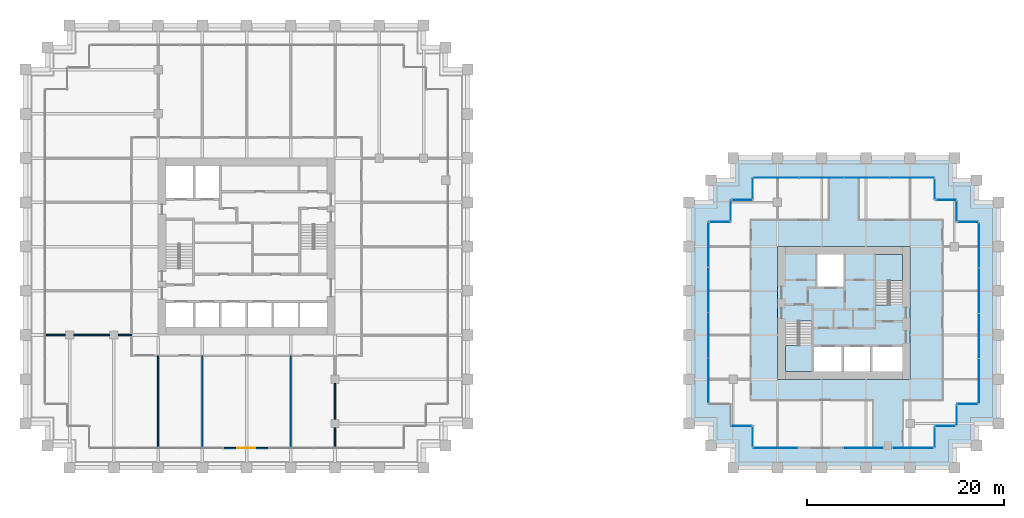
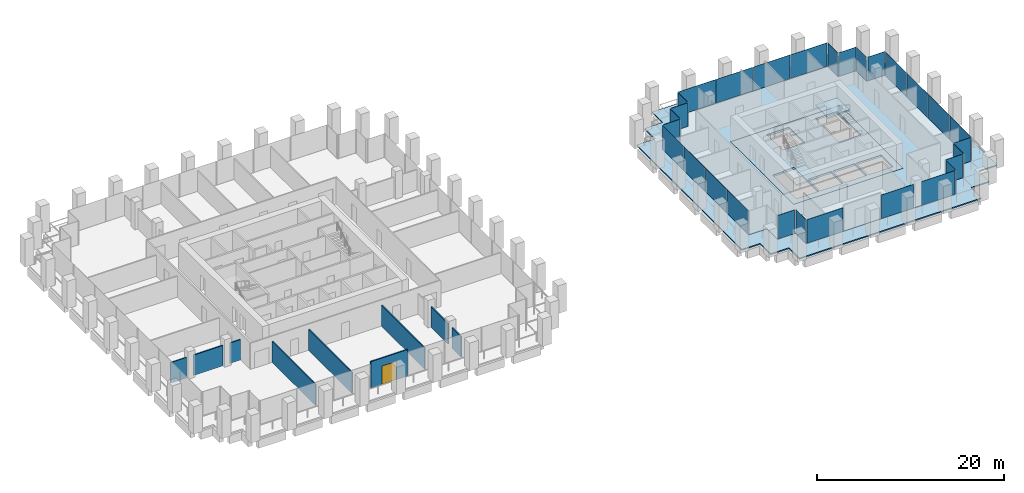
# One storey, part 49 of 56: 29 plates, 9 walls, 5 slabs, 1 door, 1 opening, 22 elements without a shape of their own.
"""IFC4 building model written with IfcOpenShell, lengths in metres."""

import ifcopenshell
import ifcopenshell.guid

model = None  # the IFC model being written
_history = None  # IfcOwnerHistory: only IFC2X3 demands one
_inside = {}  # id of a spatial element -> (the spatial element, [elements in it])
_under = {}  # id of a project, library or spatial element -> (it, [spatial elements below it])
_declared = {}  # id of a project -> (the project, [libraries it declares])
_typed = {}  # id of a type object -> (the type object, [elements of that type])
_made_of = {}  # id of a material, layer set ... -> (it, [elements and type objects made of it])


def new_model(schema):
    """Start an empty IFC model of exactly this schema.

    Asked for "IFC4X3", IfcOpenShell would pick the latest addendum, in which some entities
    have other attributes; the version numbers below select the first issue.
    IFC2X3 requires an IfcOwnerHistory on every rooted entity: one is made here for all.
    """
    global model, _history
    if schema == "IFC4X3":
        model = ifcopenshell.file(schema_version=(4, 3, 0, 0))
    else:
        model = ifcopenshell.file(schema=schema)
    _inside.clear()
    _under.clear()
    _declared.clear()
    _typed.clear()
    _made_of.clear()
    _history = None
    if model.schema == "IFC2X3":
        org = make("IfcOrganization", Name="unknown")
        user = make(
            "IfcPersonAndOrganization",
            ThePerson=make("IfcPerson", FamilyName="unknown"),
            TheOrganization=org,
        )
        app = make(
            "IfcApplication",
            ApplicationDeveloper=org,
            Version="unknown",
            ApplicationFullName="unknown",
            ApplicationIdentifier="unknown",
        )
        _history = make(
            "IfcOwnerHistory",
            OwningUser=user,
            OwningApplication=app,
            ChangeAction="ADDED",
            CreationDate=0,
        )
    return model


def make(cls, **values):
    """One entity of the class cls with the attributes given. An attribute that is None is left unset."""
    return model.create_entity(
        cls, **{name: value for name, value in values.items() if value is not None}
    )


def rooted(cls, **values):
    """An entity with a GlobalId (a new one), such as an element, a storey or a relation."""
    return make(cls, GlobalId=ifcopenshell.guid.new(), OwnerHistory=_history, **values)


def si_unit(unit_type, name, prefix=None):
    """IfcSIUnit, for example si_unit("LENGTHUNIT", "METRE", prefix="MILLI")."""
    return make("IfcSIUnit", UnitType=unit_type, Prefix=prefix, Name=name)


def assignment(units):
    """IfcUnitAssignment: the units of a project."""
    return None if units is None else make("IfcUnitAssignment", Units=units)


def point(xyz):
    """IfcCartesianPoint."""
    return None if xyz is None else make("IfcCartesianPoint", Coordinates=xyz)


def direction(xyz):
    """IfcDirection."""
    return None if xyz is None else make("IfcDirection", DirectionRatios=xyz)


def frame(location, z_axis=None, x_axis=None):
    """IfcAxis2Placement3D, a coordinate frame: its origin and axes. An axis left out is left unset."""
    return make(
        "IfcAxis2Placement3D",
        Location=point(location),
        Axis=direction(z_axis),
        RefDirection=direction(x_axis),
    )


def frame_2d(location, x_axis=None):
    """IfcAxis2Placement2D, a coordinate frame in the plane: its origin and x axis."""
    return make(
        "IfcAxis2Placement2D", Location=point(location), RefDirection=direction(x_axis)
    )


def origin():
    """The frame at (0, 0, 0) with its axes left unset."""
    return frame((0.0, 0.0, 0.0))


def origin_2d():
    """The frame at (0, 0) in the plane with its x axis left unset."""
    return frame_2d((0.0, 0.0))


def place(relative_to, where):
    """IfcLocalPlacement: puts the frame where relative to a parent placement (None: the world)."""
    return make(
        "IfcLocalPlacement", PlacementRelTo=relative_to, RelativePlacement=where
    )


def context(
    kind, dimensions, precision=None, world=None, true_north=None, identifier=None
):
    """IfcGeometricRepresentationContext, for example the 3D "Model" context."""
    return make(
        "IfcGeometricRepresentationContext",
        ContextIdentifier=identifier,
        ContextType=kind,
        CoordinateSpaceDimension=dimensions,
        Precision=precision,
        WorldCoordinateSystem=world,
        TrueNorth=true_north,
    )


def subcontext(parent, identifier, kind, view, scale=None):
    """IfcGeometricRepresentationSubContext, for example "Body" below "Model"."""
    return make(
        "IfcGeometricRepresentationSubContext",
        ContextIdentifier=identifier,
        ContextType=kind,
        ParentContext=parent,
        TargetScale=scale,
        TargetView=view,
    )


def project(units=None, contexts=None):
    """IfcProject with its units and contexts."""
    return rooted(
        "IfcProject",
        Name="project",
        RepresentationContexts=contexts,
        UnitsInContext=assignment(units),
    )


def spatial(cls, under=None, at=None, **own):
    """A site, building, storey or space (cls), placed at a placement, below another one or the project."""
    s = rooted(cls, ObjectPlacement=at, **own)
    if under is not None:
        _under.setdefault(under.id(), (under, []))[1].append(s)
    return s


def polyline(points):
    """IfcPolyline through the points."""
    return make("IfcPolyline", Points=[point(p) for p in points])


def profile(cls, at=None, kind="AREA", **sizes):
    """A parametric profile (cls). Its sizes go by their IFC names, for example OverallWidth=200.0."""
    return make(cls, ProfileType=kind, Position=at, **sizes)


def rectangle(**sizes):
    """IfcRectangleProfileDef."""
    return profile("IfcRectangleProfileDef", **sizes)


def outline(outer, holes=None, kind="AREA"):
    """IfcArbitraryClosedProfileDef: a profile drawn as a closed curve; with holes, ...WithVoids."""
    if holes is None:
        return make("IfcArbitraryClosedProfileDef", ProfileType=kind, OuterCurve=outer)
    return make(
        "IfcArbitraryProfileDefWithVoids",
        ProfileType=kind,
        OuterCurve=outer,
        InnerCurves=holes,
    )


def extrude(swept, where, along, depth):
    """IfcExtrudedAreaSolid: the profile swept, set in the frame where, extruded along a direction by depth."""
    return make(
        "IfcExtrudedAreaSolid",
        SweptArea=swept,
        Position=where,
        ExtrudedDirection=direction(along),
        Depth=depth,
    )


def shape(context_of_items, identifier, shape_type, items):
    """IfcShapeRepresentation: the items that make up one representation, for example the "Body"."""
    return make(
        "IfcShapeRepresentation",
        ContextOfItems=context_of_items,
        RepresentationIdentifier=identifier,
        RepresentationType=shape_type,
        Items=items,
    )


def material(Name=None, Category=None):
    """IfcMaterial."""
    return make("IfcMaterial", Name=Name, Category=Category)


def layer(
    of_material, thickness, ventilated=None, Name=None, Category=None, Priority=None
):
    """IfcMaterialLayer: one layer of a wall or slab, of a material (None: an air gap)."""
    return make(
        "IfcMaterialLayer",
        Material=of_material,
        LayerThickness=thickness,
        IsVentilated=ventilated,
        Name=Name,
        Category=Category,
        Priority=Priority,
    )


def layer_set(layers, Name=None):
    """IfcMaterialLayerSet."""
    return make("IfcMaterialLayerSet", MaterialLayers=layers, LayerSetName=Name)


def made_of(thing, what):
    """Note that an element or type object is made of a material, layer set ...; save() writes the relation."""
    if what is not None:
        _made_of.setdefault(what.id(), (what, []))[1].append(thing)
    return thing


def type_object(cls, material=None, **own):
    """A type object (cls), such as IfcWallType, which elements share."""
    return made_of(rooted(cls, **own), material)


def element(
    cls,
    number,
    at=None,
    inside=None,
    cuts=None,
    type_object=None,
    material=None,
    context=None,
    identifier="Body",
    shape_type=None,
    held_by="IfcProductDefinitionShape",
    body=None,
    shapes=None,
    **own,
):
    """One element of the class cls, such as IfcWall. Its Tag is "e" and its number.

    at: its placement. inside: the storey or other place that contains it. cuts: it is an
    opening in that element (IfcRelVoidsElement). A single representation is given by context,
    identifier, shape_type and body (its items); several are given by shapes. held_by: the class
    of the entity that holds the representations. save() writes the other relations.
    """
    e = rooted(cls, Tag="e%d" % number, ObjectPlacement=at, **own)
    if body is not None:
        shapes = [shape(context, identifier, shape_type, body)]
    if shapes is not None:
        e.Representation = make(held_by, Representations=shapes)
    if inside is not None:
        _inside.setdefault(inside.id(), (inside, []))[1].append(e)
    if cuts is not None:
        rooted(
            "IfcRelVoidsElement", RelatingBuildingElement=cuts, RelatedOpeningElement=e
        )
    if type_object is not None:
        _typed.setdefault(type_object.id(), (type_object, []))[1].append(e)
    return made_of(e, material)


def fill(opening, filler):
    """IfcRelFillsElement: the door or window that sits in an opening."""
    return rooted(
        "IfcRelFillsElement",
        RelatingOpeningElement=opening,
        RelatedBuildingElement=filler,
    )


def aggregate(whole, parts):
    """IfcRelAggregates: a whole, such as a stair, and the parts it consists of."""
    return rooted("IfcRelAggregates", RelatingObject=whole, RelatedObjects=parts)


def save(model, path):
    """Write the relations noted so far, then the file.

    IfcRelAggregates (storeys below a building ...), IfcRelContainedInSpatialStructure (elements
    in a storey), IfcRelDefinesByType, IfcRelAssociatesMaterial and IfcRelDeclares: one each for
    every whole, place, type object, material and project.
    """
    for whole, parts in _under.values():
        aggregate(whole, parts)
    for where, things in _inside.values():
        rooted(
            "IfcRelContainedInSpatialStructure",
            RelatedElements=things,
            RelatingStructure=where,
        )
    for kind, things in _typed.values():
        rooted("IfcRelDefinesByType", RelatedObjects=things, RelatingType=kind)
    for what, things in _made_of.values():
        rooted("IfcRelAssociatesMaterial", RelatedObjects=things, RelatingMaterial=what)
    for by, libraries in _declared.values():
        rooted("IfcRelDeclares", RelatingContext=by, RelatedDefinitions=libraries)
    model.write(path)


model = new_model("IFC4")

# Units and contexts
model_context = context("Model", 3, precision=1e-05, world=origin(), true_north=direction((0.0, 1.0)))
body_context = subcontext(model_context, "Body", "Model", "MODEL_VIEW")
ifc_project = project(units=[si_unit("LENGTHUNIT", "METRE"), si_unit("AREAUNIT", "SQUARE_METRE"), si_unit("VOLUMEUNIT", "CUBIC_METRE"), si_unit("PLANEANGLEUNIT", "RADIAN"), si_unit("MASSUNIT", "GRAM", prefix="KILO")], contexts=[model_context])

# Site, building, storey
site_placement = place(None, origin())
site = spatial("IfcSite", under=ifc_project, at=site_placement, CompositionType="ELEMENT")
building_placement = place(site_placement, origin())
building = spatial("IfcBuilding", under=site, at=building_placement, Name="Altepetl Exchange Towers", CompositionType="ELEMENT")
storey_placement = place(building_placement, frame((0.0, 0.0, 54.60009765625)))
storey = spatial("IfcBuildingStorey", under=building, at=storey_placement, Name="L12", CompositionType="ELEMENT", Elevation=54.60009765625)

# Slabs
ifc_material_1 = material(Name="Concrete C40/50", Category="concrete")
ifc_layer_1 = layer(ifc_material_1, 0.14990234375)
ifc_layer_set_1 = layer_set([ifc_layer_1], Name="Concrete C40/50")
slab_type_1 = type_object("IfcSlabType", Name="Composite floor slab 150", PredefinedType="FLOOR", material=ifc_layer_set_1)
slab_1_placement = place(storey_placement, frame((0.0, 0.0, -0.150146484375)))
element("IfcSlab", 1, at=slab_1_placement, inside=storey, type_object=slab_type_1, Name="slab:B:L12:strip0", PredefinedType="FLOOR", context=body_context, shape_type="SweptSolid", body=[
    extrude(outline(polyline([(98.75, 54.25), (98.75, 52.0), (96.5, 52.0), (96.5, 33.5), (98.75, 33.5), (98.75, 31.25), (101.0, 31.25), (101.0, 29.0), (119.5, 29.0), (119.5, 31.25), (121.75, 31.25), (121.75, 33.5), (124.0, 33.5), (124.0, 52.0), (121.75, 52.0), (121.75, 54.25), (119.5, 54.25), (119.5, 56.5), (101.0, 56.5), (101.0, 54.25), (98.75, 54.25)]), holes=[polyline([(117.0, 49.5), (117.0, 36.0), (103.5, 36.0), (103.5, 49.5), (117.0, 49.5)])]), origin(), (0.0, 0.0, 1.0), 0.150146484375),
])
ifc_layer_2 = layer(ifc_material_1, 0.25)
ifc_layer_set_2 = layer_set([ifc_layer_2], Name="Concrete C40/50")
slab_type_2 = type_object("IfcSlabType", Name="Core floor slab 250", PredefinedType="FLOOR", material=ifc_layer_set_2)
slab_2_placement = place(storey_placement, frame((0.0, 0.0, -0.25)))
element("IfcSlab", 2, at=slab_2_placement, inside=storey, type_object=slab_type_2, Name="slab:B:L12:core0", PredefinedType="FLOOR", context=body_context, shape_type="SweptSolid", body=[
    extrude(outline(polyline([(103.5, 36.0), (117.0, 36.0), (117.0, 49.5), (103.5, 49.5), (103.5, 36.0)]), holes=[polyline([(107.199951171875, 36.800048828125), (107.199951171875, 39.300048828125), (110.032958984375, 39.300048828125), (110.032958984375, 36.800048828125), (107.199951171875, 36.800048828125)]), polyline([(110.23291015625, 39.300048828125), (112.967041015625, 39.300048828125), (112.967041015625, 36.800048828125), (110.23291015625, 36.800048828125), (110.23291015625, 39.300048828125)]), polyline([(113.1669921875, 39.300048828125), (116.199951171875, 39.300048828125), (116.199951171875, 36.800048828125), (113.1669921875, 36.800048828125), (113.1669921875, 39.300048828125)]), polyline([(107.0, 36.800048828125), (104.300048828125, 36.800048828125), (104.300048828125, 41.85009765625), (105.60009765625, 41.85009765625), (105.60009765625, 41.948974609375), (107.0, 41.948974609375), (107.0, 36.800048828125)]), polyline([(116.199951171875, 48.699951171875), (116.199951171875, 43.64990234375), (114.89990234375, 43.64990234375), (114.89990234375, 43.551025390625), (113.5, 43.551025390625), (113.5, 48.699951171875), (116.199951171875, 48.699951171875)]), polyline([(107.532958984375, 48.699951171875), (110.26708984375, 48.699951171875), (110.26708984375, 45.39990234375), (107.532958984375, 45.39990234375), (107.532958984375, 48.699951171875)])]), origin(), (0.0, 0.0, 1.0), 0.25),
])

# Curtain wall, plate
ifc_material_2 = material(Name="Aluminium 6063-T6 glazing", Category="aluminium")
curtain_wall_type = type_object("IfcCurtainWallType", Name="Loggia glazing system", PredefinedType="NOTDEFINED", material=ifc_material_2)
curtain_wall_1_placement = place(storey_placement, origin())
curtain_wall_1 = element("IfcCurtainWall", 3, at=curtain_wall_1_placement, inside=storey, type_object=curtain_wall_type, Name="CW1 run", PredefinedType="NOTDEFINED")
ifc_material_3 = material(Name="Glass 6-16-6 low emissivity", Category="glass")
ifc_layer_3 = layer(ifc_material_3, 0.028076171875)
ifc_layer_set_3 = layer_set([ifc_layer_3], Name="Glass 6-16-6 low emissivity")
plate_type = type_object("IfcPlateType", Name="Glass panel 28 double glazed", PredefinedType="CURTAIN_PANEL", material=ifc_layer_set_3)
plate_1_placement = place(storey_placement, frame((97.66259765625, 52.0, -0.000244140625), z_axis=(0.0, 0.0, 1.0), x_axis=(-1.0, 0.0, 0.0)))
plate_1 = element("IfcPlate", 4, at=plate_1_placement, type_object=plate_type, Name="GP1 panel", PredefinedType="CURTAIN_PANEL", context=body_context, shape_type="SweptSolid", body=[
    extrude(rectangle(XDim=2.054931640625, YDim=0.028076171875, at=origin_2d()), origin(), (0.0, 0.0, 1.0), 3.10009765625),
])
aggregate(curtain_wall_1, [plate_1])

# Curtain wall, plates
curtain_wall_2_placement = place(storey_placement, origin())
curtain_wall_2 = element("IfcCurtainWall", 5, at=curtain_wall_2_placement, inside=storey, type_object=curtain_wall_type, Name="CW1 run", PredefinedType="NOTDEFINED")
plate_2_placement = place(storey_placement, frame((96.5, 49.681884765625, -0.000244140625), z_axis=(0.0, 0.0, 1.0), x_axis=(0.0, -1.0, 0.0)))
plate_2 = element("IfcPlate", 6, at=plate_2_placement, type_object=plate_type, Name="GP1 panel", PredefinedType="CURTAIN_PANEL", context=body_context, shape_type="SweptSolid", body=[
    extrude(rectangle(XDim=4.516357421875, YDim=0.028076171875, at=origin_2d()), origin(), (0.0, 0.0, 1.0), 3.10009765625),
])
plate_3_placement = place(storey_placement, frame((96.5, 45.090576171875, -0.000244140625), z_axis=(0.0, 0.0, 1.0), x_axis=(0.0, -1.0, 0.0)))
plate_3 = element("IfcPlate", 7, at=plate_3_placement, type_object=plate_type, Name="GP1 panel", PredefinedType="CURTAIN_PANEL", context=body_context, shape_type="SweptSolid", body=[
    extrude(rectangle(XDim=4.546142578125, YDim=0.028076171875, at=origin_2d()), origin(), (0.0, 0.0, 1.0), 3.10009765625),
])
plate_4_placement = place(storey_placement, frame((96.5, 40.484375, -0.000244140625), z_axis=(0.0, 0.0, 1.0), x_axis=(0.0, -1.0, 0.0)))
plate_4 = element("IfcPlate", 8, at=plate_4_placement, type_object=plate_type, Name="GP1 panel", PredefinedType="CURTAIN_PANEL", context=body_context, shape_type="SweptSolid", body=[
    extrude(rectangle(XDim=4.546142578125, YDim=0.028076171875, at=origin_2d()), origin(), (0.0, 0.0, 1.0), 3.10009765625),
])
plate_5_placement = place(storey_placement, frame((96.5, 35.89306640625, -0.000244140625), z_axis=(0.0, 0.0, 1.0), x_axis=(0.0, -1.0, 0.0)))
plate_5 = element("IfcPlate", 9, at=plate_5_placement, type_object=plate_type, Name="GP1 panel", PredefinedType="CURTAIN_PANEL", context=body_context, shape_type="SweptSolid", body=[
    extrude(rectangle(XDim=4.516357421875, YDim=0.028076171875, at=origin_2d()), origin(), (0.0, 0.0, 1.0), 3.10009765625),
])
aggregate(curtain_wall_2, [plate_2, plate_3, plate_4, plate_5])

# Curtain wall, plate
curtain_wall_3_placement = place(storey_placement, origin())
curtain_wall_3 = element("IfcCurtainWall", 10, at=curtain_wall_3_placement, inside=storey, type_object=curtain_wall_type, Name="CW1 run", PredefinedType="NOTDEFINED")
plate_6_placement = place(storey_placement, frame((99.83740234375, 31.25, -0.000244140625)))
plate_6 = element("IfcPlate", 11, at=plate_6_placement, type_object=plate_type, Name="GP1 panel", PredefinedType="CURTAIN_PANEL", context=body_context, shape_type="SweptSolid", body=[
    extrude(rectangle(XDim=2.054931640625, YDim=0.028076171875, at=origin_2d()), origin(), (0.0, 0.0, 1.0), 3.10009765625),
])
aggregate(curtain_wall_3, [plate_6])

curtain_wall_4_placement = place(storey_placement, origin())
curtain_wall_4 = element("IfcCurtainWall", 12, at=curtain_wall_4_placement, inside=storey, type_object=curtain_wall_type, Name="CW1 run", PredefinedType="NOTDEFINED")
plate_7_placement = place(storey_placement, frame((101.0, 30.16259765625, -0.000244140625), z_axis=(0.0, 0.0, 1.0), x_axis=(0.0, -1.0, 0.0)))
plate_7 = element("IfcPlate", 13, at=plate_7_placement, type_object=plate_type, Name="GP1 panel", PredefinedType="CURTAIN_PANEL", context=body_context, shape_type="SweptSolid", body=[
    extrude(rectangle(XDim=2.054931640625, YDim=0.028076171875, at=origin_2d()), origin(), (0.0, 0.0, 1.0), 3.10009765625),
])
aggregate(curtain_wall_4, [plate_7])

curtain_wall_5_placement = place(storey_placement, origin())
curtain_wall_5 = element("IfcCurtainWall", 14, at=curtain_wall_5_placement, inside=storey, type_object=curtain_wall_type, Name="CW1 run", PredefinedType="NOTDEFINED")
plate_8_placement = place(storey_placement, frame((103.30322265625, 29.0, -0.000244140625)))
plate_8 = element("IfcPlate", 15, at=plate_8_placement, type_object=plate_type, Name="GP1 panel", PredefinedType="CURTAIN_PANEL", context=body_context, shape_type="SweptSolid", body=[
    extrude(rectangle(XDim=4.486328125, YDim=0.028076171875, at=origin_2d()), origin(), (0.0, 0.0, 1.0), 3.10009765625),
])
aggregate(curtain_wall_5, [plate_8])

curtain_wall_6_placement = place(storey_placement, origin())
curtain_wall_6 = element("IfcCurtainWall", 16, at=curtain_wall_6_placement, inside=storey, type_object=curtain_wall_type, Name="CW1 run", PredefinedType="NOTDEFINED")
plate_9_placement = place(storey_placement, frame((112.2587890625, 29.0, -0.000244140625)))
plate_9 = element("IfcPlate", 17, at=plate_9_placement, type_object=plate_type, Name="GP1 panel", PredefinedType="CURTAIN_PANEL", context=body_context, shape_type="SweptSolid", body=[
    extrude(rectangle(XDim=3.972412109375, YDim=0.028076171875, at=origin_2d()), origin(), (0.0, 0.0, 1.0), 3.10009765625),
])
aggregate(curtain_wall_6, [plate_9])

curtain_wall_7_placement = place(storey_placement, origin())
curtain_wall_7 = element("IfcCurtainWall", 18, at=curtain_wall_7_placement, inside=storey, type_object=curtain_wall_type, Name="CW1 run", PredefinedType="NOTDEFINED")
plate_10_placement = place(storey_placement, frame((117.31005859375, 29.0, -0.000244140625)))
plate_10 = element("IfcPlate", 19, at=plate_10_placement, type_object=plate_type, Name="GP1 panel", PredefinedType="CURTAIN_PANEL", context=body_context, shape_type="SweptSolid", body=[
    extrude(rectangle(XDim=4.110107421875, YDim=0.028076171875, at=origin_2d()), origin(), (0.0, 0.0, 1.0), 3.10009765625),
])
aggregate(curtain_wall_7, [plate_10])

curtain_wall_8_placement = place(storey_placement, origin())
curtain_wall_8 = element("IfcCurtainWall", 20, at=curtain_wall_8_placement, inside=storey, type_object=curtain_wall_type, Name="CW1 run", PredefinedType="NOTDEFINED")
plate_11_placement = place(storey_placement, frame((119.5, 30.08740234375, -0.000244140625), z_axis=(0.0, 0.0, 1.0), x_axis=(0.0, 1.0, 0.0)))
plate_11 = element("IfcPlate", 21, at=plate_11_placement, type_object=plate_type, Name="GP1 panel", PredefinedType="CURTAIN_PANEL", context=body_context, shape_type="SweptSolid", body=[
    extrude(rectangle(XDim=2.054931640625, YDim=0.028076171875, at=origin_2d()), origin(), (0.0, 0.0, 1.0), 3.10009765625),
])
aggregate(curtain_wall_8, [plate_11])

curtain_wall_9_placement = place(storey_placement, origin())
curtain_wall_9 = element("IfcCurtainWall", 22, at=curtain_wall_9_placement, inside=storey, type_object=curtain_wall_type, Name="CW1 run", PredefinedType="NOTDEFINED")
plate_12_placement = place(storey_placement, frame((120.58740234375, 31.25, -0.000244140625)))
plate_12 = element("IfcPlate", 23, at=plate_12_placement, type_object=plate_type, Name="GP1 panel", PredefinedType="CURTAIN_PANEL", context=body_context, shape_type="SweptSolid", body=[
    extrude(rectangle(XDim=2.054931640625, YDim=0.028076171875, at=origin_2d()), origin(), (0.0, 0.0, 1.0), 3.10009765625),
])
aggregate(curtain_wall_9, [plate_12])

curtain_wall_10_placement = place(storey_placement, origin())
curtain_wall_10 = element("IfcCurtainWall", 24, at=curtain_wall_10_placement, inside=storey, type_object=curtain_wall_type, Name="CW1 run", PredefinedType="NOTDEFINED")
plate_13_placement = place(storey_placement, frame((121.75, 32.33740234375, -0.000244140625), z_axis=(0.0, 0.0, 1.0), x_axis=(0.0, 1.0, 0.0)))
plate_13 = element("IfcPlate", 25, at=plate_13_placement, type_object=plate_type, Name="GP1 panel", PredefinedType="CURTAIN_PANEL", context=body_context, shape_type="SweptSolid", body=[
    extrude(rectangle(XDim=2.054931640625, YDim=0.028076171875, at=origin_2d()), origin(), (0.0, 0.0, 1.0), 3.10009765625),
])
aggregate(curtain_wall_10, [plate_13])

curtain_wall_11_placement = place(storey_placement, origin())
curtain_wall_11 = element("IfcCurtainWall", 26, at=curtain_wall_11_placement, inside=storey, type_object=curtain_wall_type, Name="CW1 run", PredefinedType="NOTDEFINED")
plate_14_placement = place(storey_placement, frame((122.83740234375, 33.5, -0.000244140625)))
plate_14 = element("IfcPlate", 27, at=plate_14_placement, type_object=plate_type, Name="GP1 panel", PredefinedType="CURTAIN_PANEL", context=body_context, shape_type="SweptSolid", body=[
    extrude(rectangle(XDim=2.054931640625, YDim=0.028076171875, at=origin_2d()), origin(), (0.0, 0.0, 1.0), 3.10009765625),
])
aggregate(curtain_wall_11, [plate_14])

# Curtain wall, plates
curtain_wall_12_placement = place(storey_placement, origin())
curtain_wall_12 = element("IfcCurtainWall", 28, at=curtain_wall_12_placement, inside=storey, type_object=curtain_wall_type, Name="CW1 run", PredefinedType="NOTDEFINED")
plate_15_placement = place(storey_placement, frame((124.0, 35.818115234375, -0.000244140625), z_axis=(0.0, 0.0, 1.0), x_axis=(0.0, 1.0, 0.0)))
plate_15 = element("IfcPlate", 29, at=plate_15_placement, type_object=plate_type, Name="GP1 panel", PredefinedType="CURTAIN_PANEL", context=body_context, shape_type="SweptSolid", body=[
    extrude(rectangle(XDim=4.516357421875, YDim=0.028076171875, at=origin_2d()), origin(), (0.0, 0.0, 1.0), 3.10009765625),
])
plate_16_placement = place(storey_placement, frame((124.0, 40.409423828125, -0.000244140625), z_axis=(0.0, 0.0, 1.0), x_axis=(0.0, 1.0, 0.0)))
plate_16 = element("IfcPlate", 30, at=plate_16_placement, type_object=plate_type, Name="GP1 panel", PredefinedType="CURTAIN_PANEL", context=body_context, shape_type="SweptSolid", body=[
    extrude(rectangle(XDim=4.546142578125, YDim=0.028076171875, at=origin_2d()), origin(), (0.0, 0.0, 1.0), 3.10009765625),
])
plate_17_placement = place(storey_placement, frame((124.0, 45.015625, -0.000244140625), z_axis=(0.0, 0.0, 1.0), x_axis=(0.0, 1.0, 0.0)))
plate_17 = element("IfcPlate", 31, at=plate_17_placement, type_object=plate_type, Name="GP1 panel", PredefinedType="CURTAIN_PANEL", context=body_context, shape_type="SweptSolid", body=[
    extrude(rectangle(XDim=4.546142578125, YDim=0.028076171875, at=origin_2d()), origin(), (0.0, 0.0, 1.0), 3.10009765625),
])
plate_18_placement = place(storey_placement, frame((124.0, 49.60693359375, -0.000244140625), z_axis=(0.0, 0.0, 1.0), x_axis=(0.0, 1.0, 0.0)))
plate_18 = element("IfcPlate", 32, at=plate_18_placement, type_object=plate_type, Name="GP1 panel", PredefinedType="CURTAIN_PANEL", context=body_context, shape_type="SweptSolid", body=[
    extrude(rectangle(XDim=4.516357421875, YDim=0.028076171875, at=origin_2d()), origin(), (0.0, 0.0, 1.0), 3.10009765625),
])
aggregate(curtain_wall_12, [plate_15, plate_16, plate_17, plate_18])

# Curtain wall, plate
curtain_wall_13_placement = place(storey_placement, origin())
curtain_wall_13 = element("IfcCurtainWall", 33, at=curtain_wall_13_placement, inside=storey, type_object=curtain_wall_type, Name="CW1 run", PredefinedType="NOTDEFINED")
plate_19_placement = place(storey_placement, frame((122.91259765625, 52.0, -0.000244140625), z_axis=(0.0, 0.0, 1.0), x_axis=(-1.0, 0.0, 0.0)))
plate_19 = element("IfcPlate", 34, at=plate_19_placement, type_object=plate_type, Name="GP1 panel", PredefinedType="CURTAIN_PANEL", context=body_context, shape_type="SweptSolid", body=[
    extrude(rectangle(XDim=2.054931640625, YDim=0.028076171875, at=origin_2d()), origin(), (0.0, 0.0, 1.0), 3.10009765625),
])
aggregate(curtain_wall_13, [plate_19])

curtain_wall_14_placement = place(storey_placement, origin())
curtain_wall_14 = element("IfcCurtainWall", 35, at=curtain_wall_14_placement, inside=storey, type_object=curtain_wall_type, Name="CW1 run", PredefinedType="NOTDEFINED")
plate_20_placement = place(storey_placement, frame((121.75, 53.08740234375, -0.000244140625), z_axis=(0.0, 0.0, 1.0), x_axis=(0.0, 1.0, 0.0)))
plate_20 = element("IfcPlate", 36, at=plate_20_placement, type_object=plate_type, Name="GP1 panel", PredefinedType="CURTAIN_PANEL", context=body_context, shape_type="SweptSolid", body=[
    extrude(rectangle(XDim=2.054931640625, YDim=0.028076171875, at=origin_2d()), origin(), (0.0, 0.0, 1.0), 3.10009765625),
])
aggregate(curtain_wall_14, [plate_20])

curtain_wall_15_placement = place(storey_placement, origin())
curtain_wall_15 = element("IfcCurtainWall", 37, at=curtain_wall_15_placement, inside=storey, type_object=curtain_wall_type, Name="CW1 run", PredefinedType="NOTDEFINED")
plate_21_placement = place(storey_placement, frame((120.66259765625, 54.25, -0.000244140625), z_axis=(0.0, 0.0, 1.0), x_axis=(-1.0, 0.0, 0.0)))
plate_21 = element("IfcPlate", 38, at=plate_21_placement, type_object=plate_type, Name="GP1 panel", PredefinedType="CURTAIN_PANEL", context=body_context, shape_type="SweptSolid", body=[
    extrude(rectangle(XDim=2.054931640625, YDim=0.028076171875, at=origin_2d()), origin(), (0.0, 0.0, 1.0), 3.10009765625),
])
aggregate(curtain_wall_15, [plate_21])

curtain_wall_16_placement = place(storey_placement, origin())
curtain_wall_16 = element("IfcCurtainWall", 39, at=curtain_wall_16_placement, inside=storey, type_object=curtain_wall_type, Name="CW1 run", PredefinedType="NOTDEFINED")
plate_22_placement = place(storey_placement, frame((119.5, 55.33740234375, -0.000244140625), z_axis=(0.0, 0.0, 1.0), x_axis=(0.0, 1.0, 0.0)))
plate_22 = element("IfcPlate", 40, at=plate_22_placement, type_object=plate_type, Name="GP1 panel", PredefinedType="CURTAIN_PANEL", context=body_context, shape_type="SweptSolid", body=[
    extrude(rectangle(XDim=2.054931640625, YDim=0.028076171875, at=origin_2d()), origin(), (0.0, 0.0, 1.0), 3.10009765625),
])
aggregate(curtain_wall_16, [plate_22])

# Curtain wall, plates
curtain_wall_17_placement = place(storey_placement, origin())
curtain_wall_17 = element("IfcCurtainWall", 41, at=curtain_wall_17_placement, inside=storey, type_object=curtain_wall_type, Name="CW1 run", PredefinedType="NOTDEFINED")
plate_23_placement = place(storey_placement, frame((117.181884765625, 56.5, -0.000244140625), z_axis=(0.0, 0.0, 1.0), x_axis=(-1.0, 0.0, 0.0)))
plate_23 = element("IfcPlate", 42, at=plate_23_placement, type_object=plate_type, Name="GP1 panel", PredefinedType="CURTAIN_PANEL", context=body_context, shape_type="SweptSolid", body=[
    extrude(rectangle(XDim=4.516357421875, YDim=0.028076171875, at=origin_2d()), origin(), (0.0, 0.0, 1.0), 3.10009765625),
])
plate_24_placement = place(storey_placement, frame((112.590576171875, 56.5, -0.000244140625), z_axis=(0.0, 0.0, 1.0), x_axis=(-1.0, 0.0, 0.0)))
plate_24 = element("IfcPlate", 43, at=plate_24_placement, type_object=plate_type, Name="GP1 panel", PredefinedType="CURTAIN_PANEL", context=body_context, shape_type="SweptSolid", body=[
    extrude(rectangle(XDim=4.546142578125, YDim=0.028076171875, at=origin_2d()), origin(), (0.0, 0.0, 1.0), 3.10009765625),
])
plate_25_placement = place(storey_placement, frame((107.984375, 56.5, -0.000244140625), z_axis=(0.0, 0.0, 1.0), x_axis=(-1.0, 0.0, 0.0)))
plate_25 = element("IfcPlate", 44, at=plate_25_placement, type_object=plate_type, Name="GP1 panel", PredefinedType="CURTAIN_PANEL", context=body_context, shape_type="SweptSolid", body=[
    extrude(rectangle(XDim=4.546142578125, YDim=0.028076171875, at=origin_2d()), origin(), (0.0, 0.0, 1.0), 3.10009765625),
])
plate_26_placement = place(storey_placement, frame((103.39306640625, 56.5, -0.000244140625), z_axis=(0.0, 0.0, 1.0), x_axis=(-1.0, 0.0, 0.0)))
plate_26 = element("IfcPlate", 45, at=plate_26_placement, type_object=plate_type, Name="GP1 panel", PredefinedType="CURTAIN_PANEL", context=body_context, shape_type="SweptSolid", body=[
    extrude(rectangle(XDim=4.516357421875, YDim=0.028076171875, at=origin_2d()), origin(), (0.0, 0.0, 1.0), 3.10009765625),
])
aggregate(curtain_wall_17, [plate_23, plate_24, plate_25, plate_26])

# Curtain wall, plate
curtain_wall_18_placement = place(storey_placement, origin())
curtain_wall_18 = element("IfcCurtainWall", 46, at=curtain_wall_18_placement, inside=storey, type_object=curtain_wall_type, Name="CW1 run", PredefinedType="NOTDEFINED")
plate_27_placement = place(storey_placement, frame((101.0, 55.41259765625, -0.000244140625), z_axis=(0.0, 0.0, 1.0), x_axis=(0.0, -1.0, 0.0)))
plate_27 = element("IfcPlate", 47, at=plate_27_placement, type_object=plate_type, Name="GP1 panel", PredefinedType="CURTAIN_PANEL", context=body_context, shape_type="SweptSolid", body=[
    extrude(rectangle(XDim=2.054931640625, YDim=0.028076171875, at=origin_2d()), origin(), (0.0, 0.0, 1.0), 3.10009765625),
])
aggregate(curtain_wall_18, [plate_27])

curtain_wall_19_placement = place(storey_placement, origin())
curtain_wall_19 = element("IfcCurtainWall", 48, at=curtain_wall_19_placement, inside=storey, type_object=curtain_wall_type, Name="CW1 run", PredefinedType="NOTDEFINED")
plate_28_placement = place(storey_placement, frame((99.91259765625, 54.25, -0.000244140625), z_axis=(0.0, 0.0, 1.0), x_axis=(-1.0, 0.0, 0.0)))
plate_28 = element("IfcPlate", 49, at=plate_28_placement, type_object=plate_type, Name="GP1 panel", PredefinedType="CURTAIN_PANEL", context=body_context, shape_type="SweptSolid", body=[
    extrude(rectangle(XDim=2.054931640625, YDim=0.028076171875, at=origin_2d()), origin(), (0.0, 0.0, 1.0), 3.10009765625),
])
aggregate(curtain_wall_19, [plate_28])

curtain_wall_20_placement = place(storey_placement, origin())
curtain_wall_20 = element("IfcCurtainWall", 50, at=curtain_wall_20_placement, inside=storey, type_object=curtain_wall_type, Name="CW1 run", PredefinedType="NOTDEFINED")
plate_29_placement = place(storey_placement, frame((98.75, 53.16259765625, -0.000244140625), z_axis=(0.0, 0.0, 1.0), x_axis=(0.0, -1.0, 0.0)))
plate_29 = element("IfcPlate", 51, at=plate_29_placement, type_object=plate_type, Name="GP1 panel", PredefinedType="CURTAIN_PANEL", context=body_context, shape_type="SweptSolid", body=[
    extrude(rectangle(XDim=2.054931640625, YDim=0.028076171875, at=origin_2d()), origin(), (0.0, 0.0, 1.0), 3.10009765625),
])
aggregate(curtain_wall_20, [plate_29])

# Slab
ifc_layer_4 = layer(ifc_material_1, 0.14990234375)
ifc_layer_set_4 = layer_set([ifc_layer_4], Name="Concrete C40/50")
slab_type_3 = type_object("IfcSlabType", Name="Loggia slab 150", PredefinedType="FLOOR", material=ifc_layer_set_4)
slab_3_placement = place(storey_placement, frame((0.0, 0.0, -0.150146484375)))
element("IfcSlab", 52, at=slab_3_placement, inside=storey, type_object=slab_type_3, Name="slab:B:L12:loggia0", PredefinedType="FLOOR", context=body_context, shape_type="SweptSolid", body=[
    extrude(outline(polyline([(96.75, 54.0), (94.5, 54.0), (94.5, 36.0), (94.5, 31.5), (96.75, 31.5), (96.75, 29.25), (99.0, 29.25), (99.0, 27.0), (117.0, 27.0), (121.5, 27.0), (121.5, 29.25), (123.75, 29.25), (123.75, 31.5), (126.0, 31.5), (126.0, 49.5), (126.0, 54.0), (123.75, 54.0), (123.75, 56.25), (121.5, 56.25), (121.5, 58.5), (103.5, 58.5), (99.0, 58.5), (99.0, 56.25), (96.75, 56.25), (96.75, 54.0)]), holes=[polyline([(96.5, 52.0), (98.75, 52.0), (98.75, 54.25), (101.0, 54.25), (101.0, 56.5), (119.5, 56.5), (119.5, 54.25), (121.75, 54.25), (121.75, 52.0), (124.0, 52.0), (124.0, 33.5), (121.75, 33.5), (121.75, 31.25), (119.5, 31.25), (119.5, 29.0), (101.0, 29.0), (101.0, 31.25), (98.75, 31.25), (98.75, 33.5), (96.5, 33.5), (96.5, 52.0)])]), origin(), (0.0, 0.0, 1.0), 0.150146484375),
])

# Stair, slab
stair_type = type_object("IfcStairType", Name="Exit stair 1300 flights dogleg", PredefinedType="HALF_TURN_STAIR", material=ifc_material_1)
stair_1_placement = place(storey_placement, origin())
stair_1 = element("IfcStair", 53, at=stair_1_placement, inside=storey, type_object=stair_type, Name="Exit stair 1", PredefinedType="HALF_TURN_STAIR")
ifc_layer_5 = layer(ifc_material_1, 0.199951171875)
ifc_layer_set_5 = layer_set([ifc_layer_5], Name="Concrete C40/50")
slab_type_4 = type_object("IfcSlabType", Name="Stair landing 200 reinforced concrete", PredefinedType="LANDING", material=ifc_layer_set_5)
slab_4_placement = place(storey_placement, frame((0.0, 0.0, 1.599853515625)))
slab_4 = element("IfcSlab", 54, at=slab_4_placement, type_object=slab_type_4, Name="ST-B1c landing 1", PredefinedType="LANDING", context=body_context, shape_type="SweptSolid", body=[
    extrude(outline(polyline([(107.0, 36.800048828125), (104.300048828125, 36.800048828125), (104.300048828125, 39.429931640625), (104.300048828125, 39.4306640625), (105.60009765625, 39.4306640625), (105.60009765625, 39.429931640625), (105.699951171875, 39.429931640625), (105.699951171875, 39.530029296875), (107.0, 39.530029296875), (107.0, 39.429931640625), (107.0, 36.800048828125)])), origin(), (0.0, 0.0, 1.0), 0.199951171875),
])
aggregate(stair_1, [slab_4])

stair_2_placement = place(storey_placement, origin())
stair_2 = element("IfcStair", 55, at=stair_2_placement, inside=storey, type_object=stair_type, Name="Exit stair 2", PredefinedType="HALF_TURN_STAIR")
slab_5_placement = place(storey_placement, frame((0.0, 0.0, 1.599853515625)))
slab_5 = element("IfcSlab", 56, at=slab_5_placement, type_object=slab_type_4, Name="ST-B2c landing 1", PredefinedType="LANDING", context=body_context, shape_type="SweptSolid", body=[
    extrude(outline(polyline([(114.800048828125, 45.969970703125), (113.5, 45.969970703125), (113.5, 46.070068359375), (113.5, 48.699951171875), (116.199951171875, 48.699951171875), (116.199951171875, 46.070068359375), (116.199951171875, 46.0693359375), (114.89990234375, 46.0693359375), (114.89990234375, 46.070068359375), (114.800048828125, 46.070068359375), (114.800048828125, 45.969970703125)])), origin(), (0.0, 0.0, 1.0), 0.199951171875),
])
aggregate(stair_2, [slab_5])

# Wall, opening, door
ifc_material_4 = material(Name="Aluminium composite cladding", Category="aluminium")
ifc_layer_6 = layer(ifc_material_4, 0.14990234375)
ifc_layer_set_6 = layer_set([ifc_layer_6], Name="Aluminium composite cladding")
wall_type_1 = type_object("IfcWallType", Name="Infill wall 150 aluminium panel", PredefinedType="SOLIDWALL", material=ifc_layer_set_6)
wall_1_placement = place(storey_placement, frame((47.18212890625, 29.0, 0.0)))
wall_1 = element("IfcWall", 57, at=wall_1_placement, inside=storey, type_object=wall_type_1, Name="Loggia door bay wall", PredefinedType="SOLIDWALL", context=body_context, shape_type="SweptSolid", body=[
    extrude(rectangle(XDim=4.560791015625, YDim=0.14990234375, at=frame_2d((2.2802734375, 0.0))), origin(), (0.0, 0.0, 1.0), 3.449951171875),
])
opening_placement = place(wall_1_placement, frame((1.38037109375, 0.0, 0.0)))
opening = element("IfcOpeningElement", 58, at=opening_placement, cuts=wall_1, Name="Opening L12.A90", PredefinedType="OPENING", context=body_context, shape_type="SweptSolid", body=[
    extrude(rectangle(XDim=1.800048828125, YDim=2.39990234375, at=frame_2d((0.89990234375, 1.199951171875))), frame((0.0, 0.0849609375, 0.0), z_axis=(0.0, -1.0, 0.0), x_axis=(1.0, 0.0, 0.0)), (0.0, 0.0, 1.0), 0.169921875),
])
ifc_material_5 = material(Name="Aluminium 6063-T6 and glass", Category="aluminium")
door_type = type_object("IfcDoorType", Name="Glazed door pair 1800x2400", OperationType="DOUBLE_DOOR_DOUBLE_SWING", PredefinedType="NOTDEFINED", material=ifc_material_5)
door_placement = place(opening_placement, frame((1.800048828125, 0.0, 0.0), x_axis=(-1.0, 0.0, 0.0)))
door = element("IfcDoor", 59, at=door_placement, inside=storey, type_object=door_type, Name="Loggia door", OperationType="DOUBLE_DOOR_DOUBLE_SWING", OverallHeight=2.39990234375, OverallWidth=1.800048828125, PredefinedType="NOTDEFINED", context=body_context, shape_type="SweptSolid", body=[
    extrude(rectangle(XDim=1.800048828125, YDim=2.39990234375, at=frame_2d((0.89990234375, 1.199951171875))), frame((0.0, 0.02490234375, 0.0), z_axis=(0.0, -1.0, 0.0), x_axis=(1.0, 0.0, 0.0)), (0.0, 0.0, 1.0), 0.050048828125),
])
fill(opening, door)

# Walls
ifc_material_6 = material(Name="Gypsum board on steel studs", Category="steel")
ifc_layer_7 = layer(ifc_material_6, 0.125)
ifc_layer_set_7 = layer_set([ifc_layer_7], Name="Gypsum board on steel studs")
wall_type_2 = type_object("IfcWallType", Name="Partition 125 gypsum board on steel studs", PredefinedType="PARTITIONING", material=ifc_layer_set_7)
wall_2_placement = place(storey_placement, frame((29.10009765625, 40.5, 0.0)))
element("IfcWall", 60, at=wall_2_placement, inside=storey, type_object=wall_type_2, Name="wall:A:L12:P02", PredefinedType="PARTITIONING", context=body_context, shape_type="SweptSolid", body=[
    extrude(rectangle(XDim=1.974853515625, YDim=0.125, at=frame_2d((0.9873046875, 0.0))), origin(), (0.0, 0.0, 1.0), 2.67578125),
])
wall_3_placement = place(storey_placement, frame((31.925048828125, 40.5, 0.0)))
element("IfcWall", 61, at=wall_3_placement, inside=storey, type_object=wall_type_2, Name="wall:A:L12:P03", PredefinedType="PARTITIONING", context=body_context, shape_type="SweptSolid", body=[
    extrude(rectangle(XDim=3.64990234375, YDim=0.125, at=frame_2d((1.824951171875, 0.0))), origin(), (0.0, 0.0, 1.0), 2.67578125),
])
wall_4_placement = place(storey_placement, frame((36.425048828125, 40.5, 0.0)))
element("IfcWall", 62, at=wall_4_placement, inside=storey, type_object=wall_type_2, Name="wall:A:L12:P04", PredefinedType="PARTITIONING", context=body_context, shape_type="SweptSolid", body=[
    extrude(rectangle(XDim=1.375, YDim=0.125, at=frame_2d((0.6875, 0.0))), origin(), (0.0, 0.0, 1.0), 2.67578125),
])
for number, where, z_axis, x_axis, name in (
    (63, (40.5, 29.10009765625, 0.0), (0.0, 0.0, 1.0), (0.0, 1.0, 0.0), "wall:A:L12:P16"),
    (64, (45.0, 29.10009765625, 0.0), (0.0, 0.0, 1.0), (0.0, 1.0, 0.0), "wall:A:L12:P20"),
    (65, (54.0, 29.10009765625, 0.0), (0.0, 0.0, 1.0), (0.0, 1.0, 0.0), "wall:A:L12:P23"),
):
    element("IfcWall", number, at=place(storey_placement, frame(where, z_axis=z_axis, x_axis=x_axis)), inside=storey, type_object=wall_type_2, Name=name, PredefinedType="PARTITIONING", context=body_context, shape_type="SweptSolid", body=[
        extrude(rectangle(XDim=9.2998046875, YDim=0.125, at=frame_2d((4.64990234375, 0.0))), origin(), (0.0, 0.0, 1.0), 2.765869140625),
    ])
wall_5_placement = place(storey_placement, frame((58.5, 29.10009765625, 0.0), z_axis=(0.0, 0.0, 1.0), x_axis=(0.0, 1.0, 0.0)))
element("IfcWall", 66, at=wall_5_placement, inside=storey, type_object=wall_type_2, Name="wall:A:L12:P25", PredefinedType="PARTITIONING", context=body_context, shape_type="SweptSolid", body=[
    extrude(rectangle(XDim=1.974853515625, YDim=0.125, at=frame_2d((0.9873046875, 0.0))), origin(), (0.0, 0.0, 1.0), 2.67578125),
])
wall_6_placement = place(storey_placement, frame((58.5, 31.925048828125, 0.0), z_axis=(0.0, 0.0, 1.0), x_axis=(0.0, 1.0, 0.0)))
element("IfcWall", 67, at=wall_6_placement, inside=storey, type_object=wall_type_2, Name="wall:A:L12:P26", PredefinedType="PARTITIONING", context=body_context, shape_type="SweptSolid", body=[
    extrude(rectangle(XDim=3.64990234375, YDim=0.125, at=frame_2d((1.824951171875, 0.0))), origin(), (0.0, 0.0, 1.0), 2.67578125),
])

save(model, "model.ifc")
